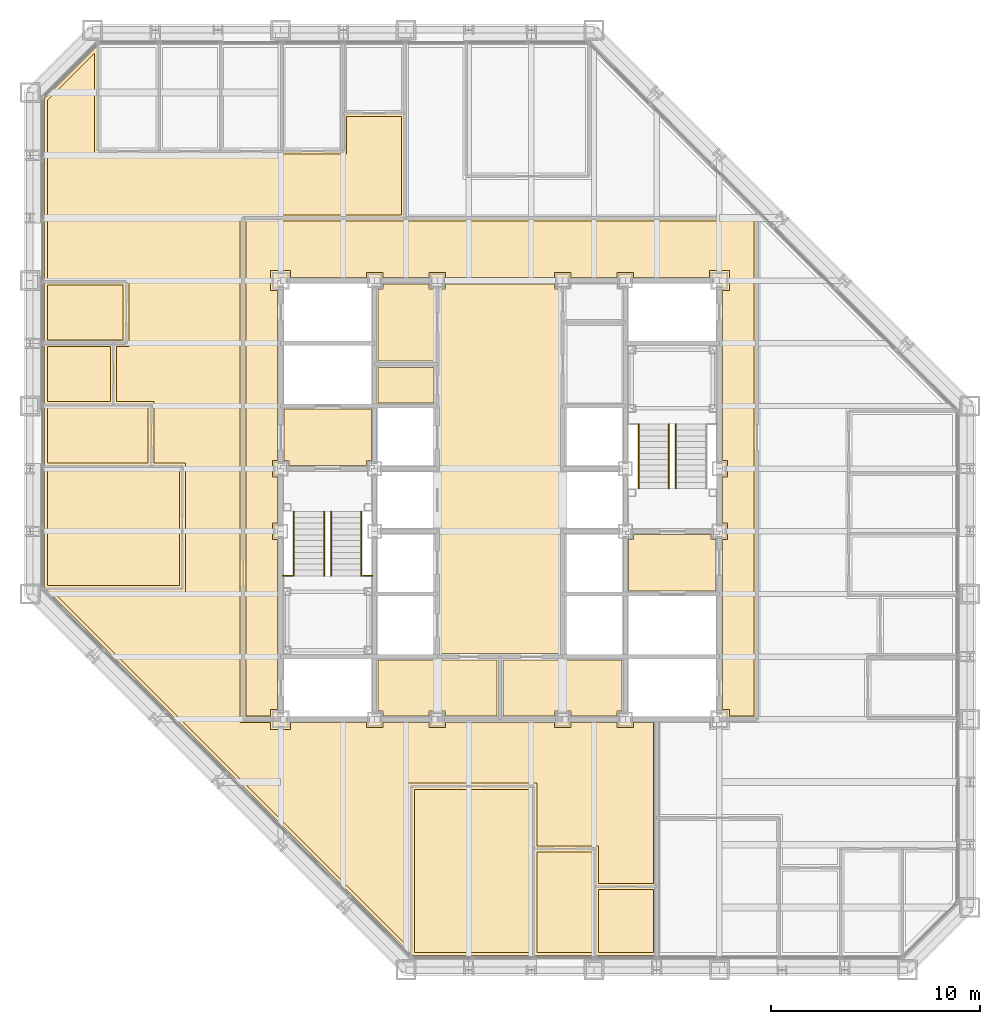
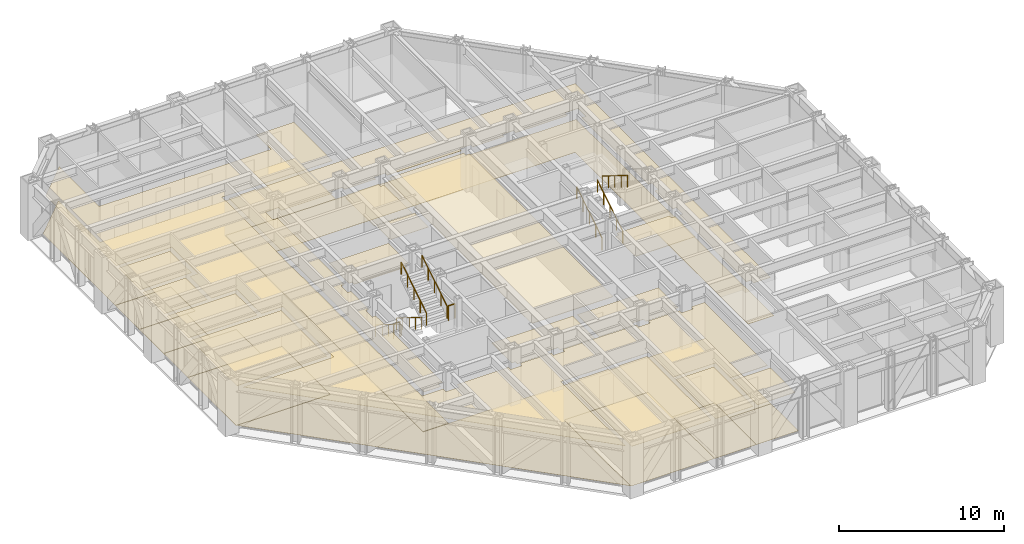
# One storey, part 14 of 16: 25 coverings, 9 railings.
"""IFC4 building model written with IfcOpenShell, lengths in metres."""

from ifc_helpers import new_model, si_unit, direction, frame, origin, origin_2d, place, context, subcontext, project, spatial, polyline, circle, outline, extrude, material, layer, layer_set, type_object, element, save


model = new_model("IFC4")

# Units and contexts
model_context = context("Model", 3, precision=1e-05, world=origin(), true_north=direction((0.0, 1.0)))
body_context = subcontext(model_context, "Body", "Model", "MODEL_VIEW")
ifc_project = project(units=[si_unit("LENGTHUNIT", "METRE"), si_unit("AREAUNIT", "SQUARE_METRE"), si_unit("VOLUMEUNIT", "CUBIC_METRE"), si_unit("PLANEANGLEUNIT", "RADIAN"), si_unit("MASSUNIT", "GRAM", prefix="KILO")], contexts=[model_context])

# Site, building, storey
site_placement = place(None, origin())
site = spatial("IfcSite", under=ifc_project, at=site_placement, CompositionType="ELEMENT")
building_placement = place(site_placement, origin())
building = spatial("IfcBuilding", under=site, at=building_placement, Name="Chuquiago Exchange Tower", CompositionType="ELEMENT")
storey_placement = place(building_placement, frame((0.0, 0.0, 123.60009765625)))
storey = spatial("IfcBuildingStorey", under=building, at=storey_placement, Name="L26", CompositionType="ELEMENT", Elevation=123.60009765625)

# Coverings
ifc_material_1 = material(Name="Mineral fibre tile, 600 x 600, on pale metal grid", Category="mineral fibre")
ifc_layer_1 = layer(ifc_material_1, 0.02001953125)
ifc_layer_set_1 = layer_set([ifc_layer_1], Name="CL1 suspended tile ceiling 20")
covering_type_1 = type_object("IfcCoveringType", Name="CL1 suspended tile ceiling 20", PredefinedType="CEILING", material=ifc_layer_set_1)
covering_1_placement = place(storey_placement, frame((0.0, 0.0, 2.7998046875)))
element("IfcCovering", 1, at=covering_1_placement, inside=storey, type_object=covering_type_1, Name="Ceiling Settlement office", PredefinedType="CEILING", context=body_context, shape_type="SweptSolid", body=[
    extrude(outline(polyline([(18.3984375, 8.64990234375), (23.974365234375, 8.64990234375), (23.974365234375, 0.85009765625), (18.3984375, 0.85009765625), (18.3984375, 8.64990234375)])), origin(), (0.0, 0.0, 1.0), 0.02001953125),
])
covering_2_placement = place(storey_placement, frame((0.0, 0.0, 2.7998046875)))
element("IfcCovering", 2, at=covering_2_placement, inside=storey, type_object=covering_type_1, Name="Ceiling Office", PredefinedType="CEILING", context=body_context, shape_type="SweptSolid", body=[
    extrude(outline(polyline([(24.2744140625, 5.64990234375), (26.912109375, 5.64990234375), (26.912109375, 0.85009765625), (24.2744140625, 0.85009765625), (24.2744140625, 5.64990234375)])), origin(), (0.0, 0.0, 1.0), 0.02001953125),
])
covering_3_placement = place(storey_placement, frame((0.0, 0.0, 2.7998046875)))
element("IfcCovering", 3, at=covering_3_placement, inside=storey, type_object=covering_type_1, Name="Ceiling Focus room", PredefinedType="CEILING", context=body_context, shape_type="SweptSolid", body=[
    extrude(outline(polyline([(27.212158203125, 3.85009765625), (29.85009765625, 3.85009765625), (29.85009765625, 0.85009765625), (27.212158203125, 0.85009765625), (27.212158203125, 3.85009765625)])), origin(), (0.0, 0.0, 1.0), 0.02001953125),
])
covering_4_placement = place(storey_placement, frame((0.0, 0.0, 2.7998046875)))
element("IfcCovering", 4, at=covering_4_placement, inside=storey, type_object=covering_type_1, Name="Ceiling Conference room", PredefinedType="CEILING", context=body_context, shape_type="SweptSolid", body=[
    extrude(outline(polyline([(0.85009765625, 23.974365234375), (7.14990234375, 23.974365234375), (7.14990234375, 18.3984375), (0.85009765625, 18.3984375), (0.85009765625, 23.974365234375)])), origin(), (0.0, 0.0, 1.0), 0.02001953125),
])
covering_5_placement = place(storey_placement, frame((0.0, 0.0, 2.7998046875)))
element("IfcCovering", 5, at=covering_5_placement, inside=storey, type_object=covering_type_1, Name="Ceiling Office", PredefinedType="CEILING", context=body_context, shape_type="SweptSolid", body=[
    extrude(outline(polyline([(5.64990234375, 26.912109375), (5.64990234375, 24.2744140625), (0.85009765625, 24.2744140625), (0.85009765625, 26.912109375), (5.64990234375, 26.912109375)])), origin(), (0.0, 0.0, 1.0), 0.02001953125),
])
covering_6_placement = place(storey_placement, frame((0.0, 0.0, 2.7998046875)))
element("IfcCovering", 6, at=covering_6_placement, inside=storey, type_object=covering_type_1, Name="Ceiling Focus room", PredefinedType="CEILING", context=body_context, shape_type="SweptSolid", body=[
    extrude(outline(polyline([(3.85009765625, 29.85009765625), (3.85009765625, 27.212158203125), (0.85009765625, 27.212158203125), (0.85009765625, 29.85009765625), (3.85009765625, 29.85009765625)])), origin(), (0.0, 0.0, 1.0), 0.02001953125),
])
covering_7_placement = place(storey_placement, frame((0.0, 0.0, 2.7998046875)))
element("IfcCovering", 7, at=covering_7_placement, inside=storey, type_object=covering_type_1, Name="Ceiling Pantry", PredefinedType="CEILING", context=body_context, shape_type="SweptSolid", body=[
    extrude(outline(polyline([(4.449951171875, 32.787841796875), (4.449951171875, 30.14990234375), (0.85009765625, 30.14990234375), (0.85009765625, 32.787841796875), (4.449951171875, 32.787841796875)])), origin(), (0.0, 0.0, 1.0), 0.02001953125),
])
covering_8_placement = place(storey_placement, frame((0.0, 0.0, 2.7998046875)))
element("IfcCovering", 8, at=covering_8_placement, inside=storey, type_object=covering_type_1, Name="Ceiling Open office west suite", PredefinedType="CEILING", context=body_context, shape_type="SweptSolid", body=[
    extrude(outline(polyline([(3.098388671875, 39.050048828125), (15.14990234375, 39.050048828125), (15.14990234375, 40.85009765625), (17.787353515625, 40.85009765625), (17.787353515625, 36.150390625), (10.049560546875, 36.150146484375), (10.049560546875, 11.849609375), (11.52490234375, 11.849609375), (11.52490234375, 11.52490234375), (12.47509765625, 11.52490234375), (12.47509765625, 11.849609375), (16.10009765625, 11.849853515625), (16.10009765625, 11.60009765625), (16.89990234375, 11.60009765625), (16.89990234375, 11.849853515625), (19.10009765625, 11.849853515625), (19.10009765625, 11.60009765625), (19.89990234375, 11.60009765625), (19.89990234375, 11.849853515625), (25.10009765625, 11.849853515625), (25.10009765625, 11.60009765625), (25.89990234375, 11.60009765625), (25.89990234375, 11.849853515625), (28.10009765625, 11.85009765625), (28.10009765625, 11.60009765625), (28.89990234375, 11.60009765625), (28.89990234375, 11.85009765625), (29.849609375, 11.85009765625), (29.849609375, 4.14990234375), (27.212158203125, 4.14990234375), (27.212158203125, 5.949951171875), (24.2744140625, 5.949951171875), (24.2744140625, 8.949951171875), (18.098388671875, 8.949951171875), (18.098388671875, 1.103515625), (1.103515625, 18.098388671875), (7.449951171875, 18.098388671875), (7.449951171875, 24.2744140625), (5.949951171875, 24.2744140625), (5.949951171875, 27.212158203125), (4.14990234375, 27.212158203125), (4.14990234375, 29.85009765625), (4.75, 29.85009765625), (4.75, 33.087890625), (0.85009765625, 33.087890625), (0.85009765625, 41.64794921875), (3.098388671875, 43.896484375), (3.098388671875, 39.050048828125)])), origin(), (0.0, 0.0, 1.0), 0.02001953125),
])
covering_9_placement = place(storey_placement, frame((0.0, 0.0, 2.7998046875)))
element("IfcCovering", 9, at=covering_9_placement, inside=storey, type_object=covering_type_1, Name="Ceiling Tenant corridor", PredefinedType="CEILING", context=body_context, shape_type="SweptSolid", body=[
    extrude(outline(polyline([(11.85009765625, 24.39990234375), (11.60009765625, 24.39990234375), (11.60009765625, 23.60009765625), (11.85009765625, 23.60009765625), (11.85009765625, 21.39990234375), (11.60009765625, 21.39990234375), (11.60009765625, 20.60009765625), (11.85009765625, 20.60009765625), (11.85009765625, 12.47509765625), (11.52490234375, 12.47509765625), (11.52490234375, 12.14990234375), (10.35009765625, 12.14990234375), (10.35009765625, 35.85009765625), (34.64990234375, 35.85009765625), (34.64990234375, 12.14990234375), (33.47509765625, 12.14990234375), (33.47509765625, 12.47509765625), (33.14990234375, 12.47509765625), (33.14990234375, 20.60009765625), (33.39990234375, 20.60009765625), (33.39990234375, 21.39990234375), (33.14990234375, 21.39990234375), (33.14990234375, 23.60009765625), (33.39990234375, 23.60009765625), (33.39990234375, 24.39990234375), (33.14990234375, 24.39990234375), (33.14990234375, 32.52490234375), (33.47509765625, 32.52490234375), (33.47509765625, 33.47509765625), (32.52490234375, 33.47509765625), (32.52490234375, 33.14990234375), (28.89990234375, 33.14990234375), (28.89990234375, 33.39990234375), (28.10009765625, 33.39990234375), (28.10009765625, 33.14990234375), (25.89990234375, 33.14990234375), (25.89990234375, 33.39990234375), (25.10009765625, 33.39990234375), (25.10009765625, 33.14990234375), (19.89990234375, 33.14990234375), (19.89990234375, 33.39990234375), (19.10009765625, 33.39990234375), (19.10009765625, 33.14990234375), (16.89990234375, 33.14990234375), (16.89990234375, 33.39990234375), (16.10009765625, 33.39990234375), (16.10009765625, 33.14990234375), (12.47509765625, 33.14990234375), (12.47509765625, 33.47509765625), (11.52490234375, 33.47509765625), (11.52490234375, 32.52490234375), (11.85009765625, 32.52490234375), (11.85009765625, 24.39990234375)])), origin(), (0.0, 0.0, 1.0), 0.02001953125),
])
covering_10_placement = place(storey_placement, frame((0.0, 0.0, 2.7998046875)))
element("IfcCovering", 10, at=covering_10_placement, inside=storey, type_object=covering_type_1, Name="Ceiling First aid room", PredefinedType="CEILING", context=body_context, shape_type="SweptSolid", body=[
    extrude(outline(polyline([(16.64990234375, 27.14990234375), (16.64990234375, 28.85009765625), (19.35009765625, 28.85009765625), (19.35009765625, 27.14990234375), (16.64990234375, 27.14990234375)])), origin(), (0.0, 0.0, 1.0), 0.02001953125),
])
ifc_material_2 = material(Name="Moisture resistant plasterboard on metal frame", Category="gypsum")
ifc_layer_2 = layer(ifc_material_2, 0.014892578125)
ifc_layer_set_2 = layer_set([ifc_layer_2], Name="CL2 moisture resistant ceiling 15")
covering_type_2 = type_object("IfcCoveringType", Name="CL2 moisture resistant ceiling 15", PredefinedType="CEILING", material=ifc_layer_set_2)
covering_11_placement = place(storey_placement, frame((0.0, 0.0, 2.599853515625)))
element("IfcCovering", 11, at=covering_11_placement, inside=storey, type_object=covering_type_2, Name="Ceiling Male WC", PredefinedType="CEILING", context=body_context, shape_type="SweptSolid", body=[
    extrude(outline(polyline([(16.64990234375, 29.14990234375), (16.64990234375, 32.60009765625), (16.89990234375, 32.60009765625), (16.89990234375, 32.85009765625), (19.10009765625, 32.85009765625), (19.10009765625, 32.60009765625), (19.35009765625, 32.60009765625), (19.35009765625, 29.14990234375), (16.64990234375, 29.14990234375)])), origin(), (0.0, 0.0, 1.0), 0.01513671875),
])
covering_12_placement = place(storey_placement, frame((0.0, 0.0, 2.599853515625)))
element("IfcCovering", 12, at=covering_12_placement, inside=storey, type_object=covering_type_2, Name="Ceiling Accessible WC", PredefinedType="CEILING", context=body_context, shape_type="SweptSolid", body=[
    extrude(outline(polyline([(25.89990234375, 12.14990234375), (25.89990234375, 12.39990234375), (25.10009765625, 12.39990234375), (25.10009765625, 12.14990234375), (22.64990234375, 12.14990234375), (22.64990234375, 14.85009765625), (28.35009765625, 14.85009765625), (28.35009765625, 12.39990234375), (28.10009765625, 12.39990234375), (28.10009765625, 12.14990234375), (25.89990234375, 12.14990234375)])), origin(), (0.0, 0.0, 1.0), 0.01513671875),
])
covering_13_placement = place(storey_placement, frame((0.0, 0.0, 2.599853515625)))
element("IfcCovering", 13, at=covering_13_placement, inside=storey, type_object=covering_type_2, Name="Ceiling Cleaner", PredefinedType="CEILING", context=body_context, shape_type="SweptSolid", body=[
    extrude(outline(polyline([(19.89990234375, 12.14990234375), (19.89990234375, 12.39990234375), (19.10009765625, 12.39990234375), (19.10009765625, 12.14990234375), (16.89990234375, 12.14990234375), (16.89990234375, 12.39990234375), (16.64990234375, 12.39990234375), (16.64990234375, 14.85009765625), (22.35009765625, 14.85009765625), (22.35009765625, 12.14990234375), (19.89990234375, 12.14990234375)])), origin(), (0.0, 0.0, 1.0), 0.01513671875),
])
ifc_material_3 = material(Name="Pale metal plank ceiling, perforated", Category="aluminium")
ifc_layer_3 = layer(ifc_material_3, 0.030029296875)
ifc_layer_set_3 = layer_set([ifc_layer_3], Name="CL3 metal plank ceiling 30")
covering_type_3 = type_object("IfcCoveringType", Name="CL3 metal plank ceiling 30", PredefinedType="CEILING", material=ifc_layer_set_3)
covering_14_placement = place(storey_placement, frame((0.0, 0.0, 2.7998046875)))
element("IfcCovering", 14, at=covering_14_placement, inside=storey, type_object=covering_type_3, Name="Ceiling Lift lobby", PredefinedType="CEILING", context=body_context, shape_type="SweptSolid", body=[
    extrude(outline(polyline([(19.64990234375, 15.14990234375), (19.64990234375, 32.60009765625), (19.89990234375, 32.60009765625), (19.89990234375, 32.85009765625), (25.10009765625, 32.85009765625), (25.10009765625, 32.60009765625), (25.35009765625, 32.60009765625), (25.35009765625, 15.14990234375), (19.64990234375, 15.14990234375)])), origin(), (0.0, 0.0, 1.0), 0.030029296875),
])
covering_15_placement = place(storey_placement, frame((0.0, 0.0, 2.7998046875)))
element("IfcCovering", 15, at=covering_15_placement, inside=storey, type_object=covering_type_3, Name="Ceiling Firefighting lobby", PredefinedType="CEILING", context=body_context, shape_type="SweptSolid", body=[
    extrude(outline(polyline([(12.39990234375, 24.14990234375), (12.39990234375, 24.39990234375), (12.14990234375, 24.39990234375), (12.14990234375, 26.85009765625), (16.35009765625, 26.85009765625), (16.35009765625, 24.39990234375), (16.10009765625, 24.39990234375), (16.10009765625, 24.14990234375), (12.39990234375, 24.14990234375)])), origin(), (0.0, 0.0, 1.0), 0.030029296875),
])
covering_16_placement = place(storey_placement, frame((0.0, 0.0, 2.7998046875)))
element("IfcCovering", 16, at=covering_16_placement, inside=storey, type_object=covering_type_3, Name="Ceiling Firefighting lobby", PredefinedType="CEILING", context=body_context, shape_type="SweptSolid", body=[
    extrude(outline(polyline([(28.64990234375, 18.14990234375), (28.64990234375, 20.60009765625), (28.89990234375, 20.60009765625), (28.89990234375, 20.85009765625), (32.60009765625, 20.85009765625), (32.60009765625, 20.60009765625), (32.85009765625, 20.60009765625), (32.85009765625, 18.14990234375), (28.64990234375, 18.14990234375)])), origin(), (0.0, 0.0, 1.0), 0.030029296875),
])
ifc_material_4 = material(Name="Carpet tile, 500 x 500, on the floor slab", Category="textile")
ifc_layer_4 = layer(ifc_material_4, 0.010009765625)
ifc_layer_set_4 = layer_set([ifc_layer_4], Name="FL1 carpet tile 10")
covering_type_4 = type_object("IfcCoveringType", Name="FL1 carpet tile 10", PredefinedType="FLOORING", material=ifc_layer_set_4)
covering_17_placement = place(storey_placement, origin())
element("IfcCovering", 17, at=covering_17_placement, inside=storey, type_object=covering_type_4, Name="Floor finish Settlement office", PredefinedType="FLOORING", context=body_context, shape_type="SweptSolid", body=[
    extrude(outline(polyline([(18.289794921875, 0.699951171875), (18.24853515625, 0.741455078125), (18.24853515625, 8.800048828125), (24.124267578125, 8.800048828125), (24.124267578125, 0.699951171875), (18.289794921875, 0.699951171875)])), origin(), (0.0, 0.0, 1.0), 0.010009765625),
])
covering_18_placement = place(storey_placement, origin())
element("IfcCovering", 18, at=covering_18_placement, inside=storey, type_object=covering_type_4, Name="Floor finish Office", PredefinedType="FLOORING", context=body_context, shape_type="SweptSolid", body=[
    extrude(outline(polyline([(24.124267578125, 0.699951171875), (24.124267578125, 5.800048828125), (27.06201171875, 5.800048828125), (27.06201171875, 0.699951171875), (24.124267578125, 0.699951171875)])), origin(), (0.0, 0.0, 1.0), 0.010009765625),
])
covering_19_placement = place(storey_placement, origin())
element("IfcCovering", 19, at=covering_19_placement, inside=storey, type_object=covering_type_4, Name="Floor finish Focus room", PredefinedType="FLOORING", context=body_context, shape_type="SweptSolid", body=[
    extrude(outline(polyline([(27.06201171875, 0.699951171875), (27.06201171875, 4.0), (30.0, 4.0), (30.0, 0.699951171875), (27.06201171875, 0.699951171875)])), origin(), (0.0, 0.0, 1.0), 0.010009765625),
])
covering_20_placement = place(storey_placement, origin())
element("IfcCovering", 20, at=covering_20_placement, inside=storey, type_object=covering_type_4, Name="Floor finish Conference room", PredefinedType="FLOORING", context=body_context, shape_type="SweptSolid", body=[
    extrude(outline(polyline([(0.699951171875, 24.124267578125), (7.300048828125, 24.124267578125), (7.300048828125, 18.24853515625), (0.741455078125, 18.24853515625), (0.699951171875, 18.289794921875), (0.699951171875, 24.124267578125)])), origin(), (0.0, 0.0, 1.0), 0.010009765625),
])
covering_21_placement = place(storey_placement, origin())
element("IfcCovering", 21, at=covering_21_placement, inside=storey, type_object=covering_type_4, Name="Floor finish Office", PredefinedType="FLOORING", context=body_context, shape_type="SweptSolid", body=[
    extrude(outline(polyline([(0.699951171875, 27.06201171875), (5.800048828125, 27.06201171875), (5.800048828125, 24.124267578125), (0.699951171875, 24.124267578125), (0.699951171875, 27.06201171875)])), origin(), (0.0, 0.0, 1.0), 0.010009765625),
])
covering_22_placement = place(storey_placement, origin())
element("IfcCovering", 22, at=covering_22_placement, inside=storey, type_object=covering_type_4, Name="Floor finish Focus room", PredefinedType="FLOORING", context=body_context, shape_type="SweptSolid", body=[
    extrude(outline(polyline([(0.699951171875, 30.0), (4.0, 30.0), (4.0, 27.06201171875), (0.699951171875, 27.06201171875), (0.699951171875, 30.0)])), origin(), (0.0, 0.0, 1.0), 0.010009765625),
])
covering_23_placement = place(storey_placement, origin())
element("IfcCovering", 23, at=covering_23_placement, inside=storey, type_object=covering_type_4, Name="Floor finish Open office west suite", PredefinedType="FLOORING", context=body_context, shape_type="SweptSolid", body=[
    extrude(outline(polyline([(3.24853515625, 44.258544921875), (3.24853515625, 39.199951171875), (15.0, 39.199951171875), (15.0, 41.0), (17.9375, 41.0), (17.9375, 36.00048828125), (10.199462890625, 36.0), (10.19970703125, 11.999755859375), (29.99951171875, 12.0), (29.99951171875, 4.0), (27.06201171875, 4.0), (27.06201171875, 5.800048828125), (24.124267578125, 5.800048828125), (24.124267578125, 8.800048828125), (18.24853515625, 8.800048828125), (18.24853515625, 0.741455078125), (0.741455078125, 18.24853515625), (7.300048828125, 18.24853515625), (7.300048828125, 24.124267578125), (5.800048828125, 24.124267578125), (5.800048828125, 27.06201171875), (4.0, 27.06201171875), (4.0, 30.0), (4.60009765625, 30.0), (4.60009765625, 32.93798828125), (0.699951171875, 32.93798828125), (0.699951171875, 41.710205078125), (3.289794921875, 44.300048828125), (3.24853515625, 44.258544921875)])), origin(), (0.0, 0.0, 1.0), 0.010009765625),
])
ifc_material_5 = material(Name="Porcelain floor tile, 600 x 600, on adhesive bed", Category="ceramic")
ifc_layer_5 = layer(ifc_material_5, 0.014892578125)
ifc_layer_set_5 = layer_set([ifc_layer_5], Name="FL2 porcelain tile 15")
covering_type_5 = type_object("IfcCoveringType", Name="FL2 porcelain tile 15", PredefinedType="FLOORING", material=ifc_layer_set_5)
covering_24_placement = place(storey_placement, origin())
element("IfcCovering", 24, at=covering_24_placement, inside=storey, type_object=covering_type_5, Name="Floor finish Pantry", PredefinedType="FLOORING", context=body_context, shape_type="SweptSolid", body=[
    extrude(outline(polyline([(0.699951171875, 32.93798828125), (4.60009765625, 32.93798828125), (4.60009765625, 30.0), (0.699951171875, 30.0), (0.699951171875, 32.93798828125)])), origin(), (0.0, 0.0, 1.0), 0.014892578125),
])
covering_25_placement = place(storey_placement, origin())
element("IfcCovering", 25, at=covering_25_placement, inside=storey, type_object=covering_type_5, Name="Floor finish Tenant corridor", PredefinedType="FLOORING", context=body_context, shape_type="SweptSolid", body=[
    extrude(outline(polyline([(12.0, 33.0), (12.0, 12.0), (10.199951171875, 12.0), (10.199951171875, 36.0), (34.800048828125, 36.0), (34.800048828125, 12.0), (33.0, 12.0), (33.0, 33.0), (12.0, 33.0)])), origin(), (0.0, 0.0, 1.0), 0.014892578125),
])

# Railings
ifc_material_6 = material(Name="Pale metal guard with safety glass infill", Category="glass")
railing_type_1 = type_object("IfcRailingType", Name="GR1 guard 1100", PredefinedType="GUARDRAIL", material=ifc_material_6)
for number, where, name in (
    (26, (12.10009765625, 18.8701171875, 2.099853515625), "Guard ST1 L26 landing 2"),
    (27, (15.945068359375, 18.8701171875, 2.099853515625), "Guard ST1 L26 landing 2"),
):
    element("IfcRailing", number, at=place(storey_placement, frame(where)), inside=storey, type_object=railing_type_1, Name=name, PredefinedType="GUARDRAIL", context=body_context, shape_type="SweptSolid", body=[
        extrude(circle(Radius=0.02392578125, at=origin_2d()), frame((0.0, 0.0, 1.076171875), z_axis=(1.0, 0.0, 0.0), x_axis=(0.0, 1.0, 0.0)), (0.0, 0.0, 1.0), 0.454833984375),
        extrude(circle(Radius=0.02099609375, at=origin_2d()), origin(), (0.0, 0.0, 1.0), 1.052001953125),
        extrude(circle(Radius=0.02099609375, at=origin_2d()), frame((0.454833984375, 0.0, 0.0)), (0.0, 0.0, 1.0), 1.052001953125),
    ])
ifc_material_7 = material(Name="Pale metal handrail", Category="steel")
railing_type_2 = type_object("IfcRailingType", Name="HR1 handrail 900", PredefinedType="HANDRAIL", material=ifc_material_7)
for number, where, name in (
    (28, (12.635009765625, 21.949951171875, 0.1748046875), "Handrail ST1 L26 flight 1"),
    (29, (14.0849609375, 21.949951171875, 0.1748046875), "Handrail ST1 L26 flight 1"),
):
    element("IfcRailing", number, at=place(storey_placement, frame(where)), inside=storey, type_object=railing_type_2, Name=name, PredefinedType="HANDRAIL", context=body_context, shape_type="SweptSolid", body=[
        extrude(circle(Radius=0.02392578125, at=origin_2d()), frame((0.0, 0.0, 0.8759765625), z_axis=(0.0, -0.847979421464, 0.530029150871), x_axis=(1.0, 0.0, 0.0)), (0.0, 0.0, 1.0), 3.632080078125),
        extrude(circle(Radius=0.02099609375, at=origin_2d()), origin(), (0.0, 0.0, 1.0), 0.851806640625),
        extrude(circle(Radius=0.02099609375, at=origin_2d()), frame((0.0, -0.77001953125, 0.481201171875)), (0.0, 0.0, 1.0), 0.851806640625),
        extrude(circle(Radius=0.02099609375, at=origin_2d()), frame((0.0, -1.5400390625, 0.96240234375)), (0.0, 0.0, 1.0), 0.851806640625),
        extrude(circle(Radius=0.02099609375, at=origin_2d()), frame((0.0, -2.309814453125, 1.44384765625)), (0.0, 0.0, 1.0), 0.851806640625),
        extrude(circle(Radius=0.02099609375, at=origin_2d()), frame((0.0, -3.079833984375, 1.925048828125)), (0.0, 0.0, 1.0), 0.851806640625),
    ])
for number, where, name in (
    (30, (15.864990234375, 18.8701171875, 2.27490234375), "Handrail ST1 L26 flight 2"),
    (31, (14.4150390625, 18.8701171875, 2.27490234375), "Handrail ST1 L26 flight 2"),
    (32, (30.5849609375, 23.050048828125, 0.1748046875), "Handrail ST2 L26 flight 1"),
    (33, (29.135009765625, 23.050048828125, 0.1748046875), "Handrail ST2 L26 flight 1"),
):
    element("IfcRailing", number, at=place(storey_placement, frame(where)), inside=storey, type_object=railing_type_2, Name=name, PredefinedType="HANDRAIL", context=body_context, shape_type="SweptSolid", body=[
        extrude(circle(Radius=0.02392578125, at=origin_2d()), frame((0.0, 0.0, 0.8759765625), z_axis=(0.0, 0.847979421464, 0.530029150871), x_axis=(-1.0, 0.0, 0.0)), (0.0, 0.0, 1.0), 3.632080078125),
        extrude(circle(Radius=0.02099609375, at=origin_2d()), origin(), (0.0, 0.0, 1.0), 0.851806640625),
        extrude(circle(Radius=0.02099609375, at=origin_2d()), frame((0.0, 0.77001953125, 0.481201171875)), (0.0, 0.0, 1.0), 0.851806640625),
        extrude(circle(Radius=0.02099609375, at=origin_2d()), frame((0.0, 1.5400390625, 0.96240234375)), (0.0, 0.0, 1.0), 0.851806640625),
        extrude(circle(Radius=0.02099609375, at=origin_2d()), frame((0.0, 2.309814453125, 1.44384765625)), (0.0, 0.0, 1.0), 0.851806640625),
        extrude(circle(Radius=0.02099609375, at=origin_2d()), frame((0.0, 3.079833984375, 1.925048828125)), (0.0, 0.0, 1.0), 0.851806640625),
    ])
railing_placement = place(storey_placement, frame((30.9150390625, 26.1298828125, 2.27490234375)))
element("IfcRailing", 34, at=railing_placement, inside=storey, type_object=railing_type_2, Name="Handrail ST2 L26 flight 2", PredefinedType="HANDRAIL", context=body_context, shape_type="SweptSolid", body=[
    extrude(circle(Radius=0.02392578125, at=origin_2d()), frame((0.0, 0.0, 0.8759765625), z_axis=(0.0, -0.847979421464, 0.530029150871), x_axis=(1.0, 0.0, 0.0)), (0.0, 0.0, 1.0), 3.632080078125),
    extrude(circle(Radius=0.02099609375, at=origin_2d()), origin(), (0.0, 0.0, 1.0), 0.851806640625),
    extrude(circle(Radius=0.02099609375, at=origin_2d()), frame((0.0, -0.77001953125, 0.481201171875)), (0.0, 0.0, 1.0), 0.851806640625),
    extrude(circle(Radius=0.02099609375, at=origin_2d()), frame((0.0, -1.5400390625, 0.96240234375)), (0.0, 0.0, 1.0), 0.851806640625),
    extrude(circle(Radius=0.02099609375, at=origin_2d()), frame((0.0, -2.309814453125, 1.44384765625)), (0.0, 0.0, 1.0), 0.851806640625),
    extrude(circle(Radius=0.02099609375, at=origin_2d()), frame((0.0, -3.079833984375, 1.925048828125)), (0.0, 0.0, 1.0), 0.851806640625),
])

save(model, "model.ifc")
